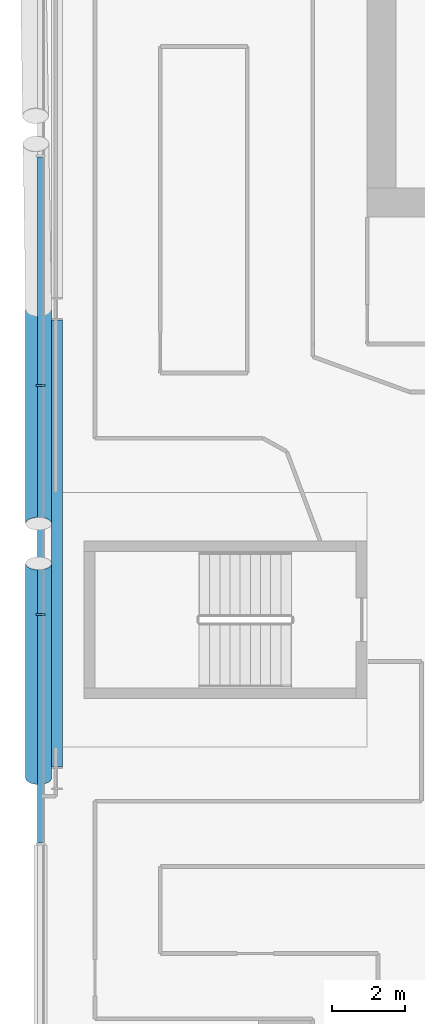
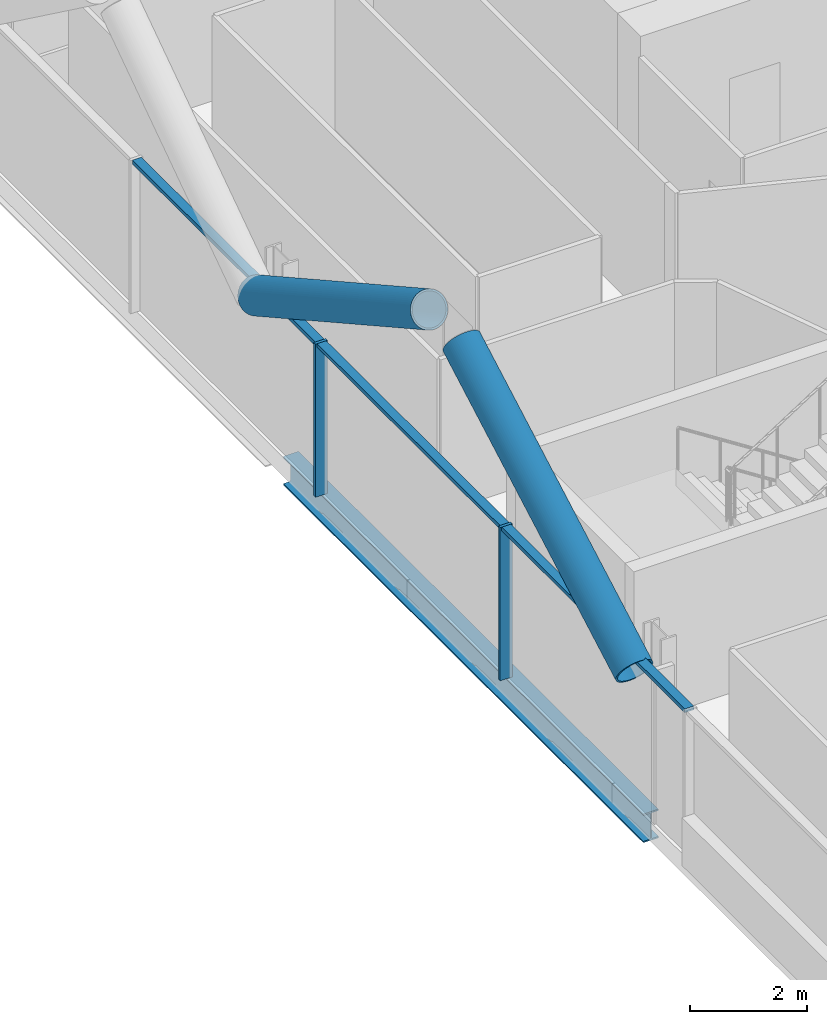
# One storey, part 7 of 27: 7 members, 1 beam, 1 element without a shape of its own.
"""IFC4 building model written with IfcOpenShell, lengths in metres."""

from ifc_helpers import new_model, si_unit, direction, frame, origin, origin_2d, place, context, subcontext, project, spatial, rectangle, hollow_circle, i_section, extrude, material, material_profile, profile_set, type_object, element, aggregate, save


model = new_model("IFC4")

# Units and contexts
model_context = context("Model", 3, precision=1e-05, world=origin(), true_north=direction((0.0, 1.0)))
body_context = subcontext(model_context, "Body", "Model", "MODEL_VIEW")
ifc_project = project(units=[si_unit("LENGTHUNIT", "METRE"), si_unit("AREAUNIT", "SQUARE_METRE"), si_unit("VOLUMEUNIT", "CUBIC_METRE"), si_unit("PLANEANGLEUNIT", "RADIAN"), si_unit("MASSUNIT", "GRAM", prefix="KILO")], contexts=[model_context])

# Site, building, storey
site_placement = place(None, origin())
site = spatial("IfcSite", under=ifc_project, at=site_placement, CompositionType="ELEMENT")
building_placement = place(site_placement, origin())
building = spatial("IfcBuilding", under=site, at=building_placement, Name="Wharfspan Tower", CompositionType="ELEMENT")
storey_placement = place(building_placement, frame((0.0, 0.0, 191.5)))
storey = spatial("IfcBuildingStorey", under=building, at=storey_placement, Name="L47", CompositionType="ELEMENT", Elevation=191.5)

# Beam
ifc_material_1 = material(Name="Steel S355J2", Category="steel")
ifc_material_profile_1 = material_profile(ifc_material_1, i_section(OverallWidth=0.300049, OverallDepth=0.600098, WebThickness=0.015381, FlangeThickness=0.030029, FilletRadius=0.0271, at=origin_2d()))
ifc_profile_set_1 = profile_set([ifc_material_profile_1], Name="Steel S355J2")
beam_type = type_object("IfcBeamType", Name="Edge beam HEB 600", PredefinedType="SPANDREL", material=ifc_profile_set_1)
beam_placement = place(storey_placement, frame((7.449951, 31.160645, -0.699951), z_axis=(0.0, -1.0, 0.0), x_axis=(1.0, 0.0, 0.0)))
element("IfcBeam", 1, at=beam_placement, inside=storey, type_object=beam_type, Name="Edge beam W L47 PW.1 to PW.2", PredefinedType="SPANDREL", context=body_context, shape_type="SweptSolid", body=[
    extrude(i_section(OverallWidth=0.300049, OverallDepth=0.600098, WebThickness=0.015381, FlangeThickness=0.030029, FilletRadius=0.0271, at=origin_2d()), origin(), (0.0, 0.0, 1.0), 12.321289),
])

# Curtain wall, members
ifc_material_2 = material(Name="Aluminium 6063-T6", Category="aluminium")
curtain_wall_type = type_object("IfcCurtainWallType", Name="CURTAIN WALL PROW AND END", PredefinedType="NOTDEFINED", material=ifc_material_2)
curtain_wall_placement = place(storey_placement, origin())
curtain_wall = element("IfcCurtainWall", 2, at=curtain_wall_placement, inside=storey, type_object=curtain_wall_type, Name="Curtain wall W", PredefinedType="NOTDEFINED")
ifc_material_profile_2 = material_profile(ifc_material_2, rectangle(XDim=0.23999, YDim=0.060059, at=origin_2d()))
ifc_profile_set_2 = profile_set([ifc_material_profile_2], Name="Aluminium 6063-T6")
member_type_1 = type_object("IfcMemberType", Name="MULLION PROW AND END 60x240", PredefinedType="MULLION", material=ifc_profile_set_2)
member_1_placement = place(storey_placement, frame((7.0, 29.360107, 0.0), z_axis=(0.0, 0.0, 1.0), x_axis=(1.0, 0.0, 0.0)))
member_1 = element("IfcMember", 3, at=member_1_placement, type_object=member_type_1, Name="Curtain wall W mullion 3", PredefinedType="MULLION", context=body_context, shape_type="SweptSolid", body=[
    extrude(rectangle(XDim=0.23999, YDim=0.060059, at=origin_2d()), origin(), (0.0, 0.0, 1.0), 3.199951),
])
member_2_placement = place(storey_placement, frame((7.0, 23.040039, 0.0), z_axis=(0.0, 0.0, 1.0), x_axis=(1.0, 0.0, 0.0)))
member_2 = element("IfcMember", 4, at=member_2_placement, type_object=member_type_1, Name="Curtain wall W mullion 4", PredefinedType="MULLION", context=body_context, shape_type="SweptSolid", body=[
    extrude(rectangle(XDim=0.23999, YDim=0.060059, at=origin_2d()), origin(), (0.0, 0.0, 1.0), 3.199951),
])

# Members
ifc_material_3 = material(Name="Steel S460NH", Category="steel")
ifc_material_profile_3 = material_profile(ifc_material_3, hollow_circle(Radius=0.355469, WallThickness=0.035889, at=origin_2d()))
ifc_profile_set_3 = profile_set([ifc_material_profile_3], Name="Steel S460NH")
member_type_2 = type_object("IfcMemberType", Name="Mega brace CHS 711x36", PredefinedType="BRACE", material=ifc_profile_set_3)
for number, where, z_axis, x_axis, name in (
    (5, (6.945068, 31.466553, 2.899902), (0.0, -0.873718, 0.486433), (1.0, 0.0, 0.0), "Mega brace W3 L48 part 1"),
    (6, (6.945068, 18.533447, 2.899902), (0.0, 0.873718, 0.486433), (-1.0, 0.0, 0.0), "Mega brace W3 L48 part 3"),
):
    element("IfcMember", number, at=place(storey_placement, frame(where, z_axis=z_axis, x_axis=x_axis)), inside=storey, type_object=member_type_2, Name=name, PredefinedType="BRACE", context=body_context, shape_type="SweptSolid", body=[
        extrude(hollow_circle(Radius=0.355469, WallThickness=0.035889, at=origin_2d()), origin(), (0.0, 0.0, 1.0), 6.766602),
    ])

# Member
ifc_material_profile_4 = material_profile(ifc_material_2, rectangle(XDim=0.179932, YDim=0.080078, at=origin_2d()))
ifc_profile_set_4 = profile_set([ifc_material_profile_4], Name="Aluminium 6063-T6")
member_type_3 = type_object("IfcMemberType", Name="TRANSOM PROW AND END 80x180", PredefinedType="USERDEFINED", material=ifc_profile_set_4)
member_3_placement = place(storey_placement, frame((7.0, 35.649902, 3.159912), z_axis=(0.0, -1.0, 0.0), x_axis=(1.0, 0.0, 0.0)))
member_3 = element("IfcMember", 7, at=member_3_placement, type_object=member_type_3, Name="Curtain wall W transom 2", ObjectType="TRANSOM", PredefinedType="USERDEFINED", context=body_context, shape_type="SweptSolid", body=[
    extrude(rectangle(XDim=0.179932, YDim=0.080078, at=origin_2d()), origin(), (0.0, 0.0, 1.0), 6.26001),
])

member_4_placement = place(storey_placement, frame((7.0, 29.330078, 3.159912), z_axis=(0.0, -1.0, 0.0), x_axis=(1.0, 0.0, 0.0)))
member_4 = element("IfcMember", 8, at=member_4_placement, type_object=member_type_3, Name="Curtain wall W transom 3", ObjectType="TRANSOM", PredefinedType="USERDEFINED", context=body_context, shape_type="SweptSolid", body=[
    extrude(rectangle(XDim=0.179932, YDim=0.080078, at=origin_2d()), origin(), (0.0, 0.0, 1.0), 6.26001),
])

member_5_placement = place(storey_placement, frame((7.0, 23.01001, 3.159912), z_axis=(0.0, -1.0, 0.0), x_axis=(1.0, 0.0, 0.0)))
member_5 = element("IfcMember", 9, at=member_5_placement, type_object=member_type_3, Name="Curtain wall W transom 4", ObjectType="TRANSOM", PredefinedType="USERDEFINED", context=body_context, shape_type="SweptSolid", body=[
    extrude(rectangle(XDim=0.179932, YDim=0.080078, at=origin_2d()), origin(), (0.0, 0.0, 1.0), 6.26001),
])

aggregate(curtain_wall, [member_1, member_2, member_3, member_4, member_5])

save(model, "model.ifc")
